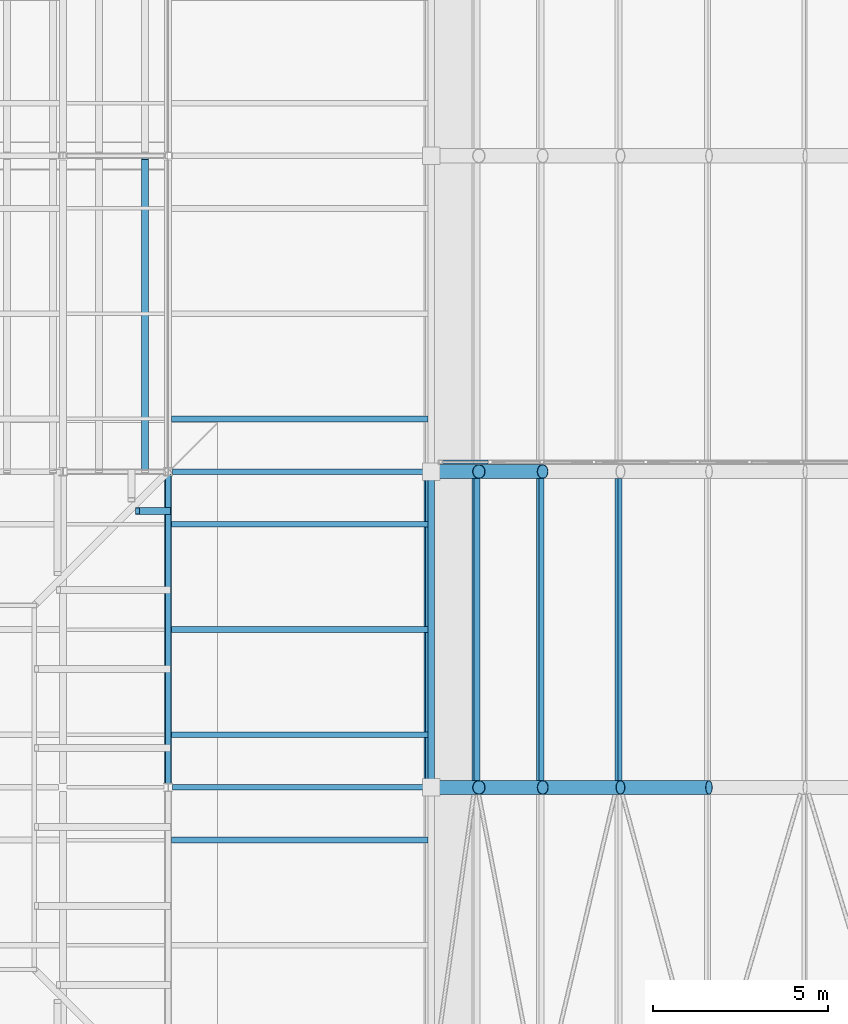
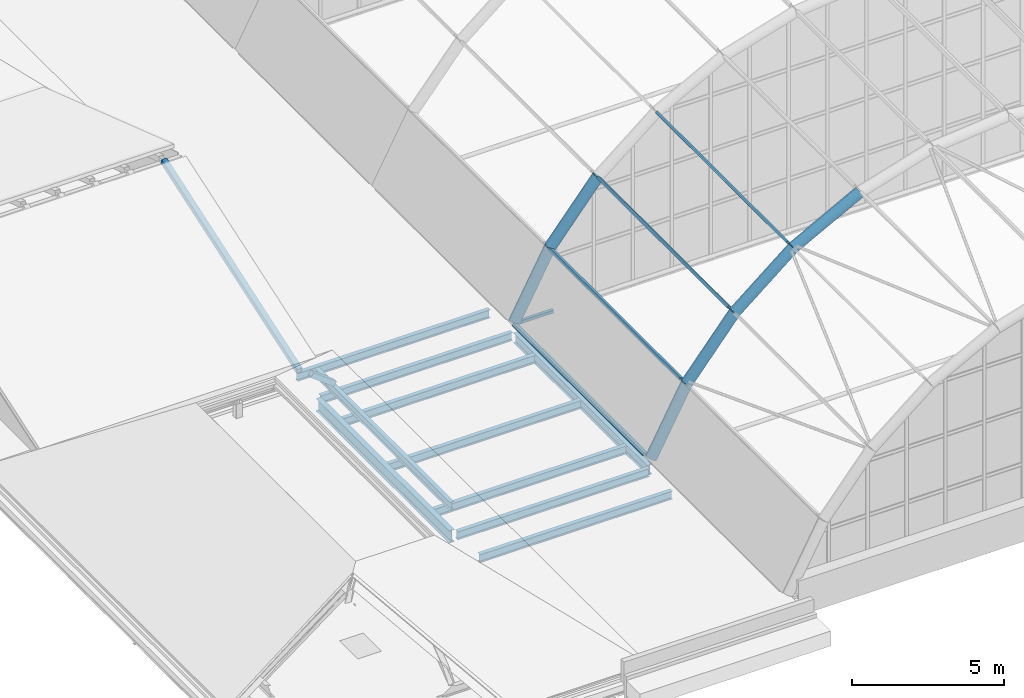
# One storey, part 23 of 121: 13 members, 10 beams, 1 element without a shape of its own.
"""IFC4 building model written with IfcOpenShell, lengths in metres."""

import ifcopenshell
import ifcopenshell.guid

model = None  # the IFC model being written
_history = None  # IfcOwnerHistory: only IFC2X3 demands one
_inside = {}  # id of a spatial element -> (the spatial element, [elements in it])
_under = {}  # id of a project, library or spatial element -> (it, [spatial elements below it])
_declared = {}  # id of a project -> (the project, [libraries it declares])
_typed = {}  # id of a type object -> (the type object, [elements of that type])
_made_of = {}  # id of a material, layer set ... -> (it, [elements and type objects made of it])


def new_model(schema):
    """Start an empty IFC model of exactly this schema.

    Asked for "IFC4X3", IfcOpenShell would pick the latest addendum, in which some entities
    have other attributes; the version numbers below select the first issue.
    IFC2X3 requires an IfcOwnerHistory on every rooted entity: one is made here for all.
    """
    global model, _history
    if schema == "IFC4X3":
        model = ifcopenshell.file(schema_version=(4, 3, 0, 0))
    else:
        model = ifcopenshell.file(schema=schema)
    _inside.clear()
    _under.clear()
    _declared.clear()
    _typed.clear()
    _made_of.clear()
    _history = None
    if model.schema == "IFC2X3":
        org = make("IfcOrganization", Name="unknown")
        user = make(
            "IfcPersonAndOrganization",
            ThePerson=make("IfcPerson", FamilyName="unknown"),
            TheOrganization=org,
        )
        app = make(
            "IfcApplication",
            ApplicationDeveloper=org,
            Version="unknown",
            ApplicationFullName="unknown",
            ApplicationIdentifier="unknown",
        )
        _history = make(
            "IfcOwnerHistory",
            OwningUser=user,
            OwningApplication=app,
            ChangeAction="ADDED",
            CreationDate=0,
        )
    return model


def make(cls, **values):
    """One entity of the class cls with the attributes given. An attribute that is None is left unset."""
    return model.create_entity(
        cls, **{name: value for name, value in values.items() if value is not None}
    )


def rooted(cls, **values):
    """An entity with a GlobalId (a new one), such as an element, a storey or a relation."""
    return make(cls, GlobalId=ifcopenshell.guid.new(), OwnerHistory=_history, **values)


def si_unit(unit_type, name, prefix=None):
    """IfcSIUnit, for example si_unit("LENGTHUNIT", "METRE", prefix="MILLI")."""
    return make("IfcSIUnit", UnitType=unit_type, Prefix=prefix, Name=name)


def assignment(units):
    """IfcUnitAssignment: the units of a project."""
    return None if units is None else make("IfcUnitAssignment", Units=units)


def point(xyz):
    """IfcCartesianPoint."""
    return None if xyz is None else make("IfcCartesianPoint", Coordinates=xyz)


def direction(xyz):
    """IfcDirection."""
    return None if xyz is None else make("IfcDirection", DirectionRatios=xyz)


def frame(location, z_axis=None, x_axis=None):
    """IfcAxis2Placement3D, a coordinate frame: its origin and axes. An axis left out is left unset."""
    return make(
        "IfcAxis2Placement3D",
        Location=point(location),
        Axis=direction(z_axis),
        RefDirection=direction(x_axis),
    )


def frame_2d(location, x_axis=None):
    """IfcAxis2Placement2D, a coordinate frame in the plane: its origin and x axis."""
    return make(
        "IfcAxis2Placement2D", Location=point(location), RefDirection=direction(x_axis)
    )


def origin():
    """The frame at (0, 0, 0) with its axes left unset."""
    return frame((0.0, 0.0, 0.0))


def origin_2d():
    """The frame at (0, 0) in the plane with its x axis left unset."""
    return frame_2d((0.0, 0.0))


def place(relative_to, where):
    """IfcLocalPlacement: puts the frame where relative to a parent placement (None: the world)."""
    return make(
        "IfcLocalPlacement", PlacementRelTo=relative_to, RelativePlacement=where
    )


def context(
    kind, dimensions, precision=None, world=None, true_north=None, identifier=None
):
    """IfcGeometricRepresentationContext, for example the 3D "Model" context."""
    return make(
        "IfcGeometricRepresentationContext",
        ContextIdentifier=identifier,
        ContextType=kind,
        CoordinateSpaceDimension=dimensions,
        Precision=precision,
        WorldCoordinateSystem=world,
        TrueNorth=true_north,
    )


def subcontext(parent, identifier, kind, view, scale=None):
    """IfcGeometricRepresentationSubContext, for example "Body" below "Model"."""
    return make(
        "IfcGeometricRepresentationSubContext",
        ContextIdentifier=identifier,
        ContextType=kind,
        ParentContext=parent,
        TargetScale=scale,
        TargetView=view,
    )


def project(units=None, contexts=None):
    """IfcProject with its units and contexts."""
    return rooted(
        "IfcProject",
        Name="project",
        RepresentationContexts=contexts,
        UnitsInContext=assignment(units),
    )


def spatial(cls, under=None, at=None, **own):
    """A site, building, storey or space (cls), placed at a placement, below another one or the project."""
    s = rooted(cls, ObjectPlacement=at, **own)
    if under is not None:
        _under.setdefault(under.id(), (under, []))[1].append(s)
    return s


def profile(cls, at=None, kind="AREA", **sizes):
    """A parametric profile (cls). Its sizes go by their IFC names, for example OverallWidth=200.0."""
    return make(cls, ProfileType=kind, Position=at, **sizes)


def hollow_rectangle(**sizes):
    """IfcRectangleHollowProfileDef."""
    return profile("IfcRectangleHollowProfileDef", **sizes)


def hollow_circle(**sizes):
    """IfcCircleHollowProfileDef."""
    return profile("IfcCircleHollowProfileDef", **sizes)


def i_section(**sizes):
    """IfcIShapeProfileDef."""
    return profile("IfcIShapeProfileDef", **sizes)


def extrude(swept, where, along, depth):
    """IfcExtrudedAreaSolid: the profile swept, set in the frame where, extruded along a direction by depth."""
    return make(
        "IfcExtrudedAreaSolid",
        SweptArea=swept,
        Position=where,
        ExtrudedDirection=direction(along),
        Depth=depth,
    )


def shape(context_of_items, identifier, shape_type, items):
    """IfcShapeRepresentation: the items that make up one representation, for example the "Body"."""
    return make(
        "IfcShapeRepresentation",
        ContextOfItems=context_of_items,
        RepresentationIdentifier=identifier,
        RepresentationType=shape_type,
        Items=items,
    )


def material(Name=None, Category=None):
    """IfcMaterial."""
    return make("IfcMaterial", Name=Name, Category=Category)


def material_profile(
    of_material, cross_section, Name=None, Category=None, Priority=None
):
    """IfcMaterialProfile: a cross section and its material."""
    return make(
        "IfcMaterialProfile",
        Name=Name,
        Material=of_material,
        Profile=cross_section,
        Priority=Priority,
        Category=Category,
    )


def profile_set(profiles, Name=None, composite=None):
    """IfcMaterialProfileSet."""
    return make(
        "IfcMaterialProfileSet",
        Name=Name,
        MaterialProfiles=profiles,
        CompositeProfile=composite,
    )


def made_of(thing, what):
    """Note that an element or type object is made of a material, layer set ...; save() writes the relation."""
    if what is not None:
        _made_of.setdefault(what.id(), (what, []))[1].append(thing)
    return thing


def type_object(cls, material=None, **own):
    """A type object (cls), such as IfcWallType, which elements share."""
    return made_of(rooted(cls, **own), material)


def element(
    cls,
    number,
    at=None,
    inside=None,
    cuts=None,
    type_object=None,
    material=None,
    context=None,
    identifier="Body",
    shape_type=None,
    held_by="IfcProductDefinitionShape",
    body=None,
    shapes=None,
    **own,
):
    """One element of the class cls, such as IfcWall. Its Tag is "e" and its number.

    at: its placement. inside: the storey or other place that contains it. cuts: it is an
    opening in that element (IfcRelVoidsElement). A single representation is given by context,
    identifier, shape_type and body (its items); several are given by shapes. held_by: the class
    of the entity that holds the representations. save() writes the other relations.
    """
    e = rooted(cls, Tag="e%d" % number, ObjectPlacement=at, **own)
    if body is not None:
        shapes = [shape(context, identifier, shape_type, body)]
    if shapes is not None:
        e.Representation = make(held_by, Representations=shapes)
    if inside is not None:
        _inside.setdefault(inside.id(), (inside, []))[1].append(e)
    if cuts is not None:
        rooted(
            "IfcRelVoidsElement", RelatingBuildingElement=cuts, RelatedOpeningElement=e
        )
    if type_object is not None:
        _typed.setdefault(type_object.id(), (type_object, []))[1].append(e)
    return made_of(e, material)


def aggregate(whole, parts):
    """IfcRelAggregates: a whole, such as a stair, and the parts it consists of."""
    return rooted("IfcRelAggregates", RelatingObject=whole, RelatedObjects=parts)


def save(model, path):
    """Write the relations noted so far, then the file.

    IfcRelAggregates (storeys below a building ...), IfcRelContainedInSpatialStructure (elements
    in a storey), IfcRelDefinesByType, IfcRelAssociatesMaterial and IfcRelDeclares: one each for
    every whole, place, type object, material and project.
    """
    for whole, parts in _under.values():
        aggregate(whole, parts)
    for where, things in _inside.values():
        rooted(
            "IfcRelContainedInSpatialStructure",
            RelatedElements=things,
            RelatingStructure=where,
        )
    for kind, things in _typed.values():
        rooted("IfcRelDefinesByType", RelatedObjects=things, RelatingType=kind)
    for what, things in _made_of.values():
        rooted("IfcRelAssociatesMaterial", RelatedObjects=things, RelatingMaterial=what)
    for by, libraries in _declared.values():
        rooted("IfcRelDeclares", RelatingContext=by, RelatedDefinitions=libraries)
    model.write(path)


model = new_model("IFC4")

# Units and contexts
model_context = context("Model", 3, precision=1e-05, world=origin(), true_north=direction((0.0, 1.0)))
body_context = subcontext(model_context, "Body", "Model", "MODEL_VIEW")
ifc_project = project(units=[si_unit("LENGTHUNIT", "METRE"), si_unit("AREAUNIT", "SQUARE_METRE"), si_unit("VOLUMEUNIT", "CUBIC_METRE"), si_unit("PLANEANGLEUNIT", "RADIAN"), si_unit("MASSUNIT", "GRAM", prefix="KILO")], contexts=[model_context])

# Site, building, storey
site_placement = place(None, origin())
site = spatial("IfcSite", under=ifc_project, at=site_placement, CompositionType="ELEMENT")
building_placement = place(site_placement, origin())
building = spatial("IfcBuilding", under=site, at=building_placement, Name="Golden Quay Civic Hall", CompositionType="ELEMENT")
storey_placement = place(building_placement, frame((0.0, 0.0, 18.60009765625)))
storey = spatial("IfcBuildingStorey", under=building, at=storey_placement, Name="L04", CompositionType="ELEMENT", Elevation=18.60009765625)

# Curtain wall, member
ifc_material_1 = material(Name="Fire-resisting glass and steel", Category="steel")
curtain_wall_type = type_object("IfcCurtainWallType", Name="Fire-resisting glazed curtain wall EI 120", PredefinedType="NOTDEFINED", material=ifc_material_1)
curtain_wall_placement = place(storey_placement, origin())
curtain_wall = element("IfcCurtainWall", 1, at=curtain_wall_placement, inside=storey, type_object=curtain_wall_type, Name="Curtain wall tympanum fire1", PredefinedType="NOTDEFINED")
ifc_material_2 = material(Name="Steel S355", Category="steel")
ifc_material_profile_1 = material_profile(ifc_material_2, hollow_rectangle(XDim=0.1201171875, YDim=0.1201171875, WallThickness=0.008056640625, at=origin_2d()), Name="SHS 120x120x8")
ifc_profile_set_1 = profile_set([ifc_material_profile_1], Name="Steel S355")
member_type_1 = type_object("IfcMemberType", Name="Fire-resisting steel transom SHS 120x120x8", PredefinedType="USERDEFINED", material=ifc_profile_set_1)
member_1_placement = place(storey_placement, frame((72.320068359375, 18.27001953125, -0.190185546875), z_axis=(1.0, 0.0, 0.0), x_axis=(0.0, 1.0, 0.0)))
member_1 = element("IfcMember", 2, at=member_1_placement, type_object=member_type_1, Name="Tympanum transom 1.1", ObjectType="TRANSOM", PredefinedType="USERDEFINED", context=body_context, shape_type="SweptSolid", body=[
    extrude(hollow_rectangle(XDim=0.1201171875, YDim=0.1201171875, WallThickness=0.008056640625, at=origin_2d()), origin(), (0.0, 0.0, 1.0), 1.297607421875),
])
aggregate(curtain_wall, [member_1])

# Members
ifc_material_3 = material(Name="Steel S355", Category="steel")
ifc_material_profile_2 = material_profile(ifc_material_3, hollow_circle(Radius=0.203125, WallThickness=0.01611328125, at=origin_2d()), Name="CHS 406.4x16")
ifc_profile_set_2 = profile_set([ifc_material_profile_2], Name="Steel S355")
member_type_2 = type_object("IfcMemberType", Name="Steel arch rib CHS 406.4x16", PredefinedType="USERDEFINED", material=ifc_profile_set_2)
for number, where, z_axis, x_axis, name in (
    (3, (72.0, 9.0, 0.099853515625), (0.473092307375, 0.0, 0.881012865231), (0.0, 1.0, 0.0), "Arch rib 2 segment 1"),
    (4, (73.35400390625, 9.0, 2.621337890625), (0.635608575128, 0.0, 0.772011489049), (0.0, 1.0, 0.0), "Arch rib 2 segment 2"),
):
    element("IfcMember", number, at=place(storey_placement, frame(where, z_axis=z_axis, x_axis=x_axis)), inside=storey, type_object=member_type_2, Name=name, ObjectType="ARCH RIB", PredefinedType="USERDEFINED", context=body_context, shape_type="SweptSolid", body=[
        extrude(hollow_circle(Radius=0.203125, WallThickness=0.01611328125, at=origin_2d()), origin(), (0.0, 0.0, 1.0), 2.862060546875),
    ])
for number, where, z_axis, x_axis, name in (
    (5, (75.173095703125, 9.0, 4.830810546875), (0.773786223221, 0.0, 0.633446825514), (0.0, 1.0, 0.0), "Arch rib 2 segment 3"),
    (6, (77.387451171875, 9.0, 6.6435546875), (0.882326964097, 0.0, 0.470636939082), (0.0, 1.0, 0.0), "Arch rib 2 segment 4"),
):
    element("IfcMember", number, at=place(storey_placement, frame(where, z_axis=z_axis, x_axis=x_axis)), inside=storey, type_object=member_type_2, Name=name, ObjectType="ARCH RIB", PredefinedType="USERDEFINED", context=body_context, shape_type="SweptSolid", body=[
        extrude(hollow_circle(Radius=0.203125, WallThickness=0.01611328125, at=origin_2d()), origin(), (0.0, 0.0, 1.0), 2.86181640625),
    ])
for number, where, z_axis, x_axis, name in (
    (7, (72.0, 18.0, 0.099853515625), (0.473092307375, 0.0, 0.881012865231), (0.0, 1.0, 0.0), "Arch rib 3 segment 1"),
    (8, (73.35400390625, 18.0, 2.621337890625), (0.635608575128, 0.0, 0.772011489049), (0.0, 1.0, 0.0), "Arch rib 3 segment 2"),
):
    element("IfcMember", number, at=place(storey_placement, frame(where, z_axis=z_axis, x_axis=x_axis)), inside=storey, type_object=member_type_2, Name=name, ObjectType="ARCH RIB", PredefinedType="USERDEFINED", context=body_context, shape_type="SweptSolid", body=[
        extrude(hollow_circle(Radius=0.203125, WallThickness=0.01611328125, at=origin_2d()), origin(), (0.0, 0.0, 1.0), 2.862060546875),
    ])

# Beams
ifc_material_4 = material(Name="Steel S355", Category="steel")
ifc_material_profile_3 = material_profile(ifc_material_4, i_section(OverallWidth=0.159912109375, OverallDepth=0.330078125, WebThickness=0.007568359375, FlangeThickness=0.011474609375, FilletRadius=0.01806640625, at=origin_2d()), Name="IPE 330")
ifc_profile_set_3 = profile_set([ifc_material_profile_3], Name="Steel S355")
beam_type_1 = type_object("IfcBeamType", Name="Steel beam IPE 330", PredefinedType="BEAM", material=ifc_profile_set_3)
for number, where, z_axis, x_axis, name in (
    (9, (64.6201171875, 9.0, -0.4150390625), (1.0, 0.0, 0.0), (0.0, 1.0, 0.0), "Beam S9-64.5"),
    (10, (64.6201171875, 18.0, -0.4150390625), (1.0, 0.0, 0.0), (0.0, 1.0, 0.0), "Beam S18-64.5"),
):
    element("IfcBeam", number, at=place(storey_placement, frame(where, z_axis=z_axis, x_axis=x_axis)), inside=storey, type_object=beam_type_1, Name=name, PredefinedType="BEAM", context=body_context, shape_type="SweptSolid", body=[
        extrude(i_section(OverallWidth=0.159912109375, OverallDepth=0.330078125, WebThickness=0.007568359375, FlangeThickness=0.011474609375, FilletRadius=0.01806640625, at=origin_2d()), origin(), (0.0, 0.0, 1.0), 7.27978515625),
    ])
ifc_material_5 = material(Name="Steel S355", Category="steel")
ifc_material_profile_4 = material_profile(ifc_material_5, i_section(OverallWidth=0.179931640625, OverallDepth=0.39990234375, WebThickness=0.008544921875, FlangeThickness=0.013427734375, FilletRadius=0.02099609375, at=origin_2d()), Name="IPE 400")
ifc_profile_set_4 = profile_set([ifc_material_profile_4], Name="Steel S355")
beam_type_2 = type_object("IfcBeamType", Name="Steel beam IPE 400", PredefinedType="BEAM", material=ifc_profile_set_4)
beam_1_placement = place(storey_placement, frame((72.0, 9.094970703125, -0.4501953125), z_axis=(0.0, 1.0, 0.0), x_axis=(-1.0, 0.0, 0.0)))
element("IfcBeam", 11, at=beam_1_placement, inside=storey, type_object=beam_type_2, Name="Beam L72-9", PredefinedType="BEAM", context=body_context, shape_type="SweptSolid", body=[
    extrude(i_section(OverallWidth=0.179931640625, OverallDepth=0.39990234375, WebThickness=0.008544921875, FlangeThickness=0.013427734375, FilletRadius=0.02099609375, at=origin_2d()), origin(), (0.0, 0.0, 1.0), 8.81005859375),
])
ifc_material_6 = material(Name="Steel S355", Category="steel")
ifc_material_profile_5 = material_profile(ifc_material_6, i_section(OverallWidth=0.199951171875, OverallDepth=0.5, WebThickness=0.01025390625, FlangeThickness=0.01611328125, FilletRadius=0.02099609375, at=origin_2d()), Name="IPE 500")
ifc_profile_set_5 = profile_set([ifc_material_profile_5], Name="Steel S355")
beam_type_3 = type_object("IfcBeamType", Name="Steel beam IPE 500", PredefinedType="BEAM", material=ifc_profile_set_5)
beam_2_placement = place(storey_placement, frame((64.5, 9.114990234375, -0.5), z_axis=(0.0, 1.0, 0.0), x_axis=(-1.0, 0.0, 0.0)))
element("IfcBeam", 12, at=beam_2_placement, inside=storey, type_object=beam_type_3, Name="Beam L64.5-9", PredefinedType="BEAM", context=body_context, shape_type="SweptSolid", body=[
    extrude(i_section(OverallWidth=0.199951171875, OverallDepth=0.5, WebThickness=0.01025390625, FlangeThickness=0.01611328125, FilletRadius=0.02099609375, at=origin_2d()), origin(), (0.0, 0.0, 1.0), 8.77001953125),
])

# Members
ifc_material_7 = material(Name="Steel S355", Category="steel")
ifc_material_profile_6 = material_profile(ifc_material_7, hollow_rectangle(XDim=0.199951171875, YDim=0.199951171875, WallThickness=0.010009765625, at=origin_2d()), Name="SHS 200x200x10")
ifc_profile_set_6 = profile_set([ifc_material_profile_6], Name="Steel S355")
member_type_3 = type_object("IfcMemberType", Name="Steel jack rafter SHS 200x200x10", PredefinedType="RAFTER", material=ifc_profile_set_6)
member_2_placement = place(storey_placement, frame((64.5, 16.875, 0.96484375), z_axis=(-0.8, 0.0, 0.6), x_axis=(0.0, -1.0, 0.0)))
element("IfcMember", 13, at=member_2_placement, inside=storey, type_object=member_type_3, Name="Jack rafter WM-S east 8", PredefinedType="RAFTER", context=body_context, shape_type="SweptSolid", body=[
    extrude(hollow_rectangle(XDim=0.199951171875, YDim=0.199951171875, WallThickness=0.010009765625, at=origin_2d()), origin(), (0.0, 0.0, 1.0), 1.09375),
])
member_3_placement = place(storey_placement, frame((63.84375, 18.0, 0.990478515625), z_axis=(0.0, 0.947254558797, 0.320482138095), x_axis=(-1.0, 0.0, 0.0)))
element("IfcMember", 14, at=member_3_placement, inside=storey, type_object=member_type_3, Name="Gable rafter south 8", PredefinedType="RAFTER", context=body_context, shape_type="SweptSolid", body=[
    extrude(hollow_rectangle(XDim=0.199951171875, YDim=0.199951171875, WallThickness=0.010009765625, at=origin_2d()), origin(), (0.0, 0.0, 1.0), 9.42724609375),
])

# Beams
ifc_material_8 = material(Name="Steel S355", Category="steel")
ifc_material_profile_7 = material_profile(ifc_material_8, i_section(OverallWidth=0.159912109375, OverallDepth=0.330078125, WebThickness=0.007568359375, FlangeThickness=0.011474609375, FilletRadius=0.01806640625, at=origin_2d()), Name="IPE 330")
ifc_profile_set_7 = profile_set([ifc_material_profile_7], Name="Steel S355")
beam_type_4 = type_object("IfcBeamType", Name="Steel joist IPE 330", PredefinedType="JOIST", material=ifc_profile_set_7)
for number, where, z_axis, x_axis, name in (
    (15, (64.60009765625, 7.5, -0.4150390625), (1.0, 0.0, 0.0), (0.0, 1.0, 0.0), "Joist J7.5-64.5"),
    (16, (64.60009765625, 10.5, -0.4150390625), (1.0, 0.0, 0.0), (0.0, 1.0, 0.0), "Joist J10.5-64.5"),
    (17, (64.60009765625, 13.5, -0.4150390625), (1.0, 0.0, 0.0), (0.0, 1.0, 0.0), "Joist J13.5-64.5"),
    (18, (64.60009765625, 16.5, -0.4150390625), (1.0, 0.0, 0.0), (0.0, 1.0, 0.0), "Joist J16.5-64.5"),
    (19, (64.60009765625, 19.5, -0.4150390625), (1.0, 0.0, 0.0), (0.0, 1.0, 0.0), "Joist J19.5-64.5"),
):
    element("IfcBeam", number, at=place(storey_placement, frame(where, z_axis=z_axis, x_axis=x_axis)), inside=storey, type_object=beam_type_4, Name=name, PredefinedType="JOIST", context=body_context, shape_type="SweptSolid", body=[
        extrude(i_section(OverallWidth=0.159912109375, OverallDepth=0.330078125, WebThickness=0.007568359375, FlangeThickness=0.011474609375, FilletRadius=0.01806640625, at=origin_2d()), origin(), (0.0, 0.0, 1.0), 7.309814453125),
    ])

# Members
ifc_material_9 = material(Name="Steel S355", Category="steel")
ifc_material_profile_8 = material_profile(ifc_material_9, hollow_rectangle(XDim=0.10009765625, YDim=0.199951171875, WallThickness=0.008056640625, at=origin_2d()), Name="RHS 200x100x8")
ifc_profile_set_8 = profile_set([ifc_material_profile_8], Name="Steel S355")
member_type_4 = type_object("IfcMemberType", Name="Steel purlin RHS 200x100x8", PredefinedType="PURLIN", material=ifc_profile_set_8)
for number, where, z_axis, x_axis, name in (
    (20, (71.90478515625, 9.203125, 0.1396484375), (0.0, 1.0, 0.0), (-0.384615384615, 0.0, -0.923076923077), "Purlin 2.1"),
    (21, (73.268310546875, 9.203125, 2.6787109375), (0.0, 1.0, 0.0), (-0.557018943033, 0.0, -0.830499787539), "Purlin 2.2"),
    (22, (75.10009765625, 9.203125, 4.90380859375), (0.0, 1.0, 0.0), (-0.708092289314, 0.0, -0.70611989762), "Purlin 2.3"),
    (23, (77.330322265625, 9.203125, 6.7294921875), (0.0, 1.0, 0.0), (-0.832050294338, 0.0, -0.554700196226), "Purlin 2.4"),
):
    element("IfcMember", number, at=place(storey_placement, frame(where, z_axis=z_axis, x_axis=x_axis)), inside=storey, type_object=member_type_4, Name=name, PredefinedType="PURLIN", context=body_context, shape_type="SweptSolid", body=[
        extrude(hollow_rectangle(XDim=0.10009765625, YDim=0.199951171875, WallThickness=0.008056640625, at=origin_2d()), origin(), (0.0, 0.0, 1.0), 8.59375),
    ])

# Beam
ifc_material_10 = material(Name="Steel S355", Category="steel")
ifc_material_profile_9 = material_profile(ifc_material_10, i_section(OverallWidth=0.159912109375, OverallDepth=0.330078125, WebThickness=0.007568359375, FlangeThickness=0.011474609375, FilletRadius=0.01806640625, at=origin_2d()), Name="IPE 330")
ifc_profile_set_9 = profile_set([ifc_material_profile_9], Name="Steel S355")
beam_type_5 = type_object("IfcBeamType", Name="Steel wall plate beam IPE 330", PredefinedType="BEAM", material=ifc_profile_set_9)
beam_3_placement = place(storey_placement, frame((64.5, 9.114990234375, 0.719970703125), z_axis=(0.0, 1.0, 0.0), x_axis=(-1.0, 0.0, 0.0)))
element("IfcBeam", 24, at=beam_3_placement, inside=storey, type_object=beam_type_5, Name="Wall plate beam WM-S E2", PredefinedType="BEAM", context=body_context, shape_type="SweptSolid", body=[
    extrude(i_section(OverallWidth=0.159912109375, OverallDepth=0.330078125, WebThickness=0.007568359375, FlangeThickness=0.011474609375, FilletRadius=0.01806640625, at=origin_2d()), origin(), (0.0, 0.0, 1.0), 8.885009765625),
])

save(model, "model.ifc")
